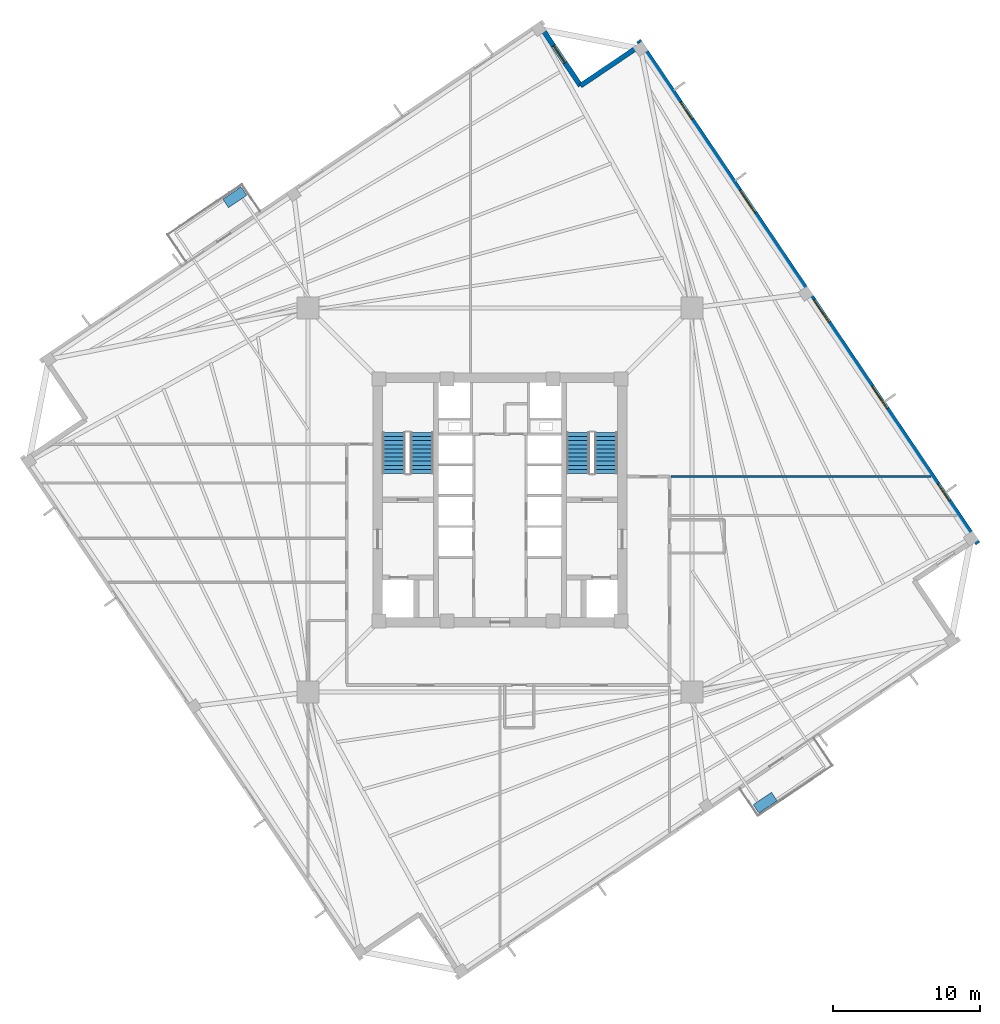
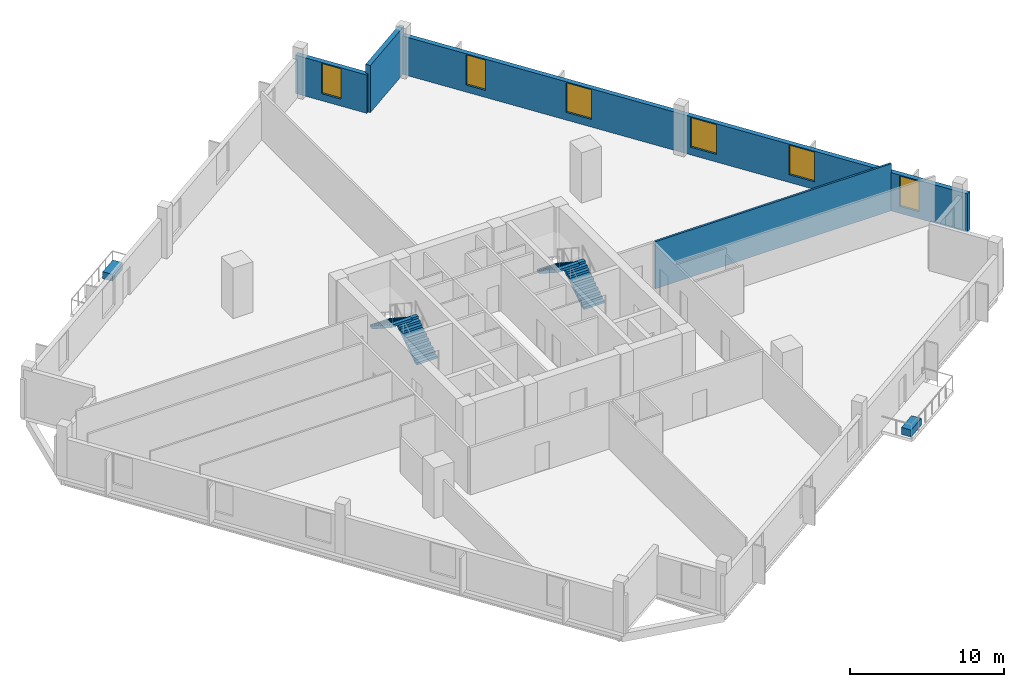
# One storey, part 5 of 8: 6 windows, 4 stair flights, 4 walls, 2 discrete accessories, 6 openings, 2 elements without a shape of their own.
"""IFC4 building model written with IfcOpenShell, lengths in metres."""

from ifc_helpers import new_model, si_unit, direction, frame, frame_2d, origin, origin_2d, place, context, subcontext, project, spatial, polyline, rectangle, outline, extrude, source, transform, mapped, material, layer, layer_set, type_object, element, fill, aggregate, save


model = new_model("IFC4")

# Units and contexts
model_context = context("Model", 3, precision=1e-05, world=origin(), true_north=direction((0.0, 1.0)))
body_context = subcontext(model_context, "Body", "Model", "MODEL_VIEW")
ifc_project = project(units=[si_unit("LENGTHUNIT", "METRE"), si_unit("AREAUNIT", "SQUARE_METRE"), si_unit("VOLUMEUNIT", "CUBIC_METRE"), si_unit("PLANEANGLEUNIT", "RADIAN"), si_unit("MASSUNIT", "GRAM", prefix="KILO"), si_unit("THERMODYNAMICTEMPERATUREUNIT", "KELVIN")], contexts=[model_context])

# Site, building, storey
site_placement = place(None, origin())
site = spatial("IfcSite", under=ifc_project, at=site_placement, CompositionType="ELEMENT")
building_placement = place(site_placement, origin())
building = spatial("IfcBuilding", under=site, at=building_placement, Name="Kosmvard Interchange Tower", CompositionType="ELEMENT")
storey_placement = place(building_placement, frame((0.0, 0.0, 184.39990234375)))
storey = spatial("IfcBuildingStorey", under=building, at=storey_placement, Name="L44", CompositionType="ELEMENT", Elevation=184.39990234375)

# Wall
ifc_material_1 = material(Name="Acoustic gypsum partition system")
ifc_layer_1 = layer(ifc_material_1, 0.14990234375, Name="Acoustic gypsum partition system")
ifc_layer_set_1 = layer_set([ifc_layer_1], Name="Acoustic gypsum partition system")
wall_type_1 = type_object("IfcWallType", Name="Acoustic Suite & Meeting Partition 150", PredefinedType="PARTITIONING", material=ifc_layer_set_1)
wall_1_placement = place(storey_placement, frame((11.64501953125, 1.60009765625, 0.0), z_axis=(0.0, 0.0, 1.0), x_axis=(1.0, 0.0, 0.0)))
element("IfcWall", 1, at=wall_1_placement, inside=storey, type_object=wall_type_1, Name="L44 Room Partition 05.1", PredefinedType="PARTITIONING", context=body_context, shape_type="SweptSolid", body=[
    extrude(rectangle(XDim=17.70263671875, YDim=0.14990234375, at=frame_2d((8.851318359375, 0.0))), origin(), (0.0, 0.0, 1.0), 3.739990234375),
])

# Wall, openings, windows
ifc_material_2 = material(Name="Precast concrete C45/55", Category="concrete")
ifc_layer_2 = layer(ifc_material_2, 0.340087890625, Name="Precast concrete C45/55")
ifc_layer_set_2 = layer_set([ifc_layer_2], Name="Precast concrete C45/55")
wall_type_2 = type_object("IfcWallType", Name="Mid Tower Precast Pier Wall 340 C45/55", PredefinedType="STANDARD", material=ifc_layer_set_2)
wall_2_placement = place(storey_placement, frame((32.55810546875, -2.971923828125, 0.0), z_axis=(0.0, 0.0, 1.0), x_axis=(-0.559194910251, 0.829036218961, 0.0)))
wall_2 = element("IfcWall", 2, at=wall_2_placement, inside=storey, type_object=wall_type_2, Name="L44 Precast Facade Wall F-E", PredefinedType="STANDARD", context=body_context, shape_type="SweptSolid", body=[
    extrude(rectangle(XDim=41.340087890625, YDim=0.340087890625, at=frame_2d((20.669921875, 0.0))), origin(), (0.0, 0.0, 1.0), 3.0400390625),
])
opening_1_placement = place(wall_2_placement, frame((3.5107421875, 0.0, 0.56005859375)))
opening_1 = element("IfcOpeningElement", 3, at=opening_1_placement, cuts=wall_2, Name="Opening L44-W06", PredefinedType="OPENING", context=body_context, shape_type="SweptSolid", body=[
    extrude(rectangle(XDim=1.39990234375, YDim=2.39990234375, at=frame_2d((0.699951171875, 1.199951171875))), frame((0.0, 0.18017578125, 0.0), z_axis=(0.0, -1.0, 0.0), x_axis=(1.0, 0.0, 0.0)), (0.0, 0.0, 1.0), 0.360107421875),
])
opening_2_placement = place(wall_2_placement, frame((11.063720703125, 0.0, 0.610107421875)))
opening_2 = element("IfcOpeningElement", 4, at=opening_2_placement, cuts=wall_2, Name="Opening L44-W07", PredefinedType="OPENING", context=body_context, shape_type="SweptSolid", body=[
    extrude(rectangle(XDim=1.85009765625, YDim=2.35009765625, at=frame_2d((0.925048828125, 1.175048828125))), frame((0.0, 0.18017578125, 0.0), z_axis=(0.0, -1.0, 0.0), x_axis=(1.0, 0.0, 0.0)), (0.0, 0.0, 1.0), 0.360107421875),
])
opening_3_placement = place(wall_2_placement, frame((18.168212890625, 0.0, 0.610107421875)))
opening_3 = element("IfcOpeningElement", 5, at=opening_3_placement, cuts=wall_2, Name="Opening L44-W08", PredefinedType="OPENING", context=body_context, shape_type="SweptSolid", body=[
    extrude(rectangle(XDim=1.85009765625, YDim=2.35009765625, at=frame_2d((0.925048828125, 1.175048828125))), frame((0.0, 0.18017578125, 0.0), z_axis=(0.0, -1.0, 0.0), x_axis=(1.0, 0.0, 0.0)), (0.0, 0.0, 1.0), 0.360107421875),
])
opening_4_placement = place(wall_2_placement, frame((27.186279296875, 0.0, 0.610107421875)))
opening_4 = element("IfcOpeningElement", 6, at=opening_4_placement, cuts=wall_2, Name="Opening L44-W09", PredefinedType="OPENING", context=body_context, shape_type="SweptSolid", body=[
    extrude(rectangle(XDim=1.85009765625, YDim=2.35009765625, at=frame_2d((0.925048828125, 1.175048828125))), frame((0.0, 0.18017578125, 0.0), z_axis=(0.0, -1.0, 0.0), x_axis=(1.0, 0.0, 0.0)), (0.0, 0.0, 1.0), 0.360107421875),
])
opening_5_placement = place(wall_2_placement, frame((34.852294921875, 0.0, 0.56005859375)))
opening_5 = element("IfcOpeningElement", 7, at=opening_5_placement, cuts=wall_2, Name="Opening L44-W10", PredefinedType="OPENING", context=body_context, shape_type="SweptSolid", body=[
    extrude(rectangle(XDim=1.39990234375, YDim=2.39990234375, at=frame_2d((0.699951171875, 1.199951171875))), frame((0.0, 0.18017578125, 0.0), z_axis=(0.0, -1.0, 0.0), x_axis=(1.0, 0.0, 0.0)), (0.0, 0.0, 1.0), 0.360107421875),
])
ifc_material_3 = material(Name="Low-E solar-control double glazing", Category="glass")
window_type_1 = type_object("IfcWindowType", Name="Notched Corner Feature Window 1400x2400", PartitioningType="SINGLE_PANEL", PredefinedType="WINDOW", material=ifc_material_3)
shared_shape_1 = source(origin(), body_context, "Body", "SweptSolid", [
    extrude(rectangle(XDim=1.39990234375, YDim=2.39990234375, at=frame_2d((0.699951171875, 1.199951171875))), frame((0.0, 0.030029296875, 0.0), z_axis=(0.0, -1.0, 0.0), x_axis=(1.0, 0.0, 0.0)), (0.0, 0.0, 1.0), 0.06005859375),
])
window_1_placement = place(opening_1_placement, origin())
window_1 = element("IfcWindow", 8, at=window_1_placement, inside=storey, type_object=window_type_1, Name="L44 Facade Punched Window 06", OverallHeight=2.39990234375, OverallWidth=1.39990234375, PartitioningType="SINGLE_PANEL", PredefinedType="WINDOW", context=body_context, shape_type="MappedRepresentation", body=[
    mapped(shared_shape_1, transform((0.0, 0.0, 0.0), scale=1.0)),
])
fill(opening_1, window_1)
window_2_placement = place(opening_5_placement, origin())
window_2 = element("IfcWindow", 9, at=window_2_placement, inside=storey, type_object=window_type_1, Name="L44 Facade Punched Window 10", OverallHeight=2.39990234375, OverallWidth=1.39990234375, PartitioningType="SINGLE_PANEL", PredefinedType="WINDOW", context=body_context, shape_type="MappedRepresentation", body=[
    mapped(shared_shape_1, transform((0.0, 0.0, 0.0), scale=1.0)),
])
fill(opening_5, window_2)
window_type_2 = type_object("IfcWindowType", Name="Zone 3 Office Punched Window 1850x2350", PartitioningType="SINGLE_PANEL", PredefinedType="WINDOW", material=ifc_material_3)
shared_shape_2 = source(origin(), body_context, "Body", "SweptSolid", [
    extrude(rectangle(XDim=1.85009765625, YDim=2.35009765625, at=frame_2d((0.925048828125, 1.175048828125))), frame((0.0, 0.030029296875, 0.0), z_axis=(0.0, -1.0, 0.0), x_axis=(1.0, 0.0, 0.0)), (0.0, 0.0, 1.0), 0.06005859375),
])
window_3_placement = place(opening_2_placement, origin())
window_3 = element("IfcWindow", 10, at=window_3_placement, inside=storey, type_object=window_type_2, Name="L44 Facade Punched Window 07", OverallHeight=2.35009765625, OverallWidth=1.85009765625, PartitioningType="SINGLE_PANEL", PredefinedType="WINDOW", context=body_context, shape_type="MappedRepresentation", body=[
    mapped(shared_shape_2, transform((0.0, 0.0, 0.0), scale=1.0)),
])
fill(opening_2, window_3)
window_4_placement = place(opening_3_placement, origin())
window_4 = element("IfcWindow", 11, at=window_4_placement, inside=storey, type_object=window_type_2, Name="L44 Facade Punched Window 08", OverallHeight=2.35009765625, OverallWidth=1.85009765625, PartitioningType="SINGLE_PANEL", PredefinedType="WINDOW", context=body_context, shape_type="MappedRepresentation", body=[
    mapped(shared_shape_2, transform((0.0, 0.0, 0.0), scale=1.0)),
])
fill(opening_3, window_4)
window_5_placement = place(opening_4_placement, origin())
window_5 = element("IfcWindow", 12, at=window_5_placement, inside=storey, type_object=window_type_2, Name="L44 Facade Punched Window 09", OverallHeight=2.35009765625, OverallWidth=1.85009765625, PartitioningType="SINGLE_PANEL", PredefinedType="WINDOW", context=body_context, shape_type="MappedRepresentation", body=[
    mapped(shared_shape_2, transform((0.0, 0.0, 0.0), scale=1.0)),
])
fill(opening_4, window_5)

# Wall
wall_3_placement = place(storey_placement, frame((9.631103515625, 31.018798828125, 0.0), z_axis=(0.0, 0.0, 1.0), x_axis=(-0.829025804298, -0.559210350234, 0.0)))
element("IfcWall", 13, at=wall_3_placement, inside=storey, type_object=wall_type_2, Name="L44 Precast Facade Wall N-NE1", PredefinedType="STANDARD", context=body_context, shape_type="SweptSolid", body=[
    extrude(rectangle(XDim=5.000244140625, YDim=0.340087890625, at=frame_2d((2.5, 0.0))), origin(), (0.0, 0.0, 1.0), 3.739990234375),
])

# Wall, opening, window
wall_4_placement = place(storey_placement, frame((5.48583984375, 28.22265625, 0.0), z_axis=(0.0, 0.0, 1.0), x_axis=(-0.559171107879, 0.82905227345, 0.0)))
wall_4 = element("IfcWall", 14, at=wall_4_placement, inside=storey, type_object=wall_type_2, Name="L44 Precast Facade Wall N-NE2", PredefinedType="STANDARD", context=body_context, shape_type="SweptSolid", body=[
    extrude(rectangle(XDim=5.169921875, YDim=0.340087890625, at=frame_2d((2.5849609375, 0.0))), origin(), (0.0, 0.0, 1.0), 3.0400390625),
])
opening_6_placement = place(wall_4_placement, frame((1.885009765625, 0.0, 0.56005859375)))
opening_6 = element("IfcOpeningElement", 15, at=opening_6_placement, cuts=wall_4, Name="Opening L44-W22", PredefinedType="OPENING", context=body_context, shape_type="SweptSolid", body=[
    extrude(rectangle(XDim=1.39990234375, YDim=2.39990234375, at=frame_2d((0.699951171875, 1.199951171875))), frame((0.0, 0.18017578125, 0.0), z_axis=(0.0, -1.0, 0.0), x_axis=(1.0, 0.0, 0.0)), (0.0, 0.0, 1.0), 0.360107421875),
])
window_6_placement = place(opening_6_placement, origin())
window_6 = element("IfcWindow", 16, at=window_6_placement, inside=storey, type_object=window_type_1, Name="L44 Corner Notch Window 22", OverallHeight=2.39990234375, OverallWidth=1.39990234375, PartitioningType="SINGLE_PANEL", PredefinedType="WINDOW", context=body_context, shape_type="MappedRepresentation", body=[
    mapped(shared_shape_1, transform((0.0, 0.0, 0.0), scale=1.0)),
])
fill(opening_6, window_6)

# Stair, stair flights
ifc_material_4 = material(Name="Concrete C50/60", Category="concrete")
stair_type = type_object("IfcStairType", Name="Dog-Leg Core Exit Stair H4000 C50/60", PredefinedType="HALF_TURN_STAIR", material=ifc_material_4)
stair_1_placement = place(storey_placement, origin())
stair_1 = element("IfcStair", 17, at=stair_1_placement, inside=storey, type_object=stair_type, Name="L44 Protected Exit Stair ST-1", PredefinedType="HALF_TURN_STAIR")
stair_flight_type = type_object("IfcStairFlightType", Name="Core Stair Flight W1550 H4000 C50/60", PredefinedType="STRAIGHT", material=ifc_material_4)
shared_shape_3 = source(origin(), body_context, "Body", "SweptSolid", [
    extrude(outline(polyline([(0.0, 0.0), (0.0, 0.181884765625), (0.280029296875, 0.181884765625), (0.280029296875, 0.363525390625), (0.56005859375, 0.363525390625), (0.56005859375, 0.54541015625), (0.840087890625, 0.54541015625), (0.840087890625, 0.727294921875), (1.1201171875, 0.727294921875), (1.1201171875, 0.9091796875), (1.39990234375, 0.9091796875), (1.39990234375, 1.0908203125), (1.679931640625, 1.0908203125), (1.679931640625, 1.272705078125), (1.9599609375, 1.272705078125), (1.9599609375, 1.45458984375), (2.239990234375, 1.45458984375), (2.239990234375, 1.636474609375), (2.52001953125, 1.636474609375), (2.52001953125, 1.818115234375), (2.800048828125, 1.818115234375), (2.800048828125, 2.0), (2.800048828125, 1.62744140625), (0.293701171875, 0.0), (0.0, 0.0)])), frame((0.0, 0.77490234375, 0.0), z_axis=(0.0, -1.0, 0.0), x_axis=(1.0, 0.0, 0.0)), (0.0, 0.0, 1.0), 1.550048828125),
])
stair_flight_1_placement = place(storey_placement, frame((-5.31494140625, 1.800048828125, 0.0), z_axis=(0.0, 0.0, 1.0), x_axis=(0.0, 1.0, 0.0)))
stair_flight_1 = element("IfcStairFlight", 18, at=stair_flight_1_placement, type_object=stair_flight_type, Name="ST-1 flight 1", NumberOfRisers=11, NumberOfTreads=10, PredefinedType="STRAIGHT", RiserHeight=0.181818182, TreadLength=0.28, context=body_context, shape_type="MappedRepresentation", body=[
    mapped(shared_shape_3, transform((0.0, 0.0, 0.0), scale=1.0)),
])
stair_flight_2_placement = place(storey_placement, frame((-7.22509765625, 4.60009765625, 2.0), z_axis=(0.0, 0.0, 1.0), x_axis=(0.0, -1.0, 0.0)))
stair_flight_2 = element("IfcStairFlight", 19, at=stair_flight_2_placement, type_object=stair_flight_type, Name="ST-1 flight 2", NumberOfRisers=11, NumberOfTreads=10, PredefinedType="STRAIGHT", RiserHeight=0.181818182, TreadLength=0.28, context=body_context, shape_type="MappedRepresentation", body=[
    mapped(shared_shape_3, transform((0.0, 0.0, 0.0), scale=1.0)),
])
aggregate(stair_1, [stair_flight_1, stair_flight_2])

stair_2_placement = place(storey_placement, origin())
stair_2 = element("IfcStair", 20, at=stair_2_placement, inside=storey, type_object=stair_type, Name="L44 Protected Exit Stair ST-2", PredefinedType="HALF_TURN_STAIR")
stair_flight_3_placement = place(storey_placement, frame((7.22509765625, 1.800048828125, 0.0), z_axis=(0.0, 0.0, 1.0), x_axis=(0.0, 1.0, 0.0)))
stair_flight_3 = element("IfcStairFlight", 21, at=stair_flight_3_placement, type_object=stair_flight_type, Name="ST-2 flight 1", NumberOfRisers=11, NumberOfTreads=10, PredefinedType="STRAIGHT", RiserHeight=0.181818182, TreadLength=0.28, context=body_context, shape_type="MappedRepresentation", body=[
    mapped(shared_shape_3, transform((0.0, 0.0, 0.0), scale=1.0)),
])
stair_flight_4_placement = place(storey_placement, frame((5.31494140625, 4.60009765625, 2.0), z_axis=(0.0, 0.0, 1.0), x_axis=(0.0, -1.0, 0.0)))
stair_flight_4 = element("IfcStairFlight", 22, at=stair_flight_4_placement, type_object=stair_flight_type, Name="ST-2 flight 2", NumberOfRisers=11, NumberOfTreads=10, PredefinedType="STRAIGHT", RiserHeight=0.181818182, TreadLength=0.28, context=body_context, shape_type="MappedRepresentation", body=[
    mapped(shared_shape_3, transform((0.0, 0.0, 0.0), scale=1.0)),
])
aggregate(stair_2, [stair_flight_3, stair_flight_4])

# Discrete accessories
ifc_material_5 = material(Name="Terracotta precast planter concrete C45/55", Category="masonry")
discrete_accessory_type = type_object("IfcDiscreteAccessoryType", Name="Precast Tree-Balcony & Terrace Planter Box", PredefinedType="USERDEFINED", material=ifc_material_5)
shared_shape_4 = source(origin(), body_context, "Body", "SweptSolid", [
    extrude(rectangle(XDim=1.5, YDim=0.699951171875, at=origin_2d()), origin(), (0.0, 0.0, 1.0), 0.550048828125),
])
for number, where, z_axis, x_axis, name in (
    (23, (18.0703125, -20.62060546875, 0.0), (0.0, 0.0, 1.0), (0.829037572555, 0.559192903471, 0.0), "L44 Balcony Tree Planter BAL-L44-SW"),
    (24, (-18.0703125, 20.62060546875, 0.0), (0.0, 0.0, 1.0), (0.829037572555, 0.559192903471, 0.0), "L44 Balcony Tree Planter BAL-L44-NE"),
):
    element("IfcDiscreteAccessory", number, at=place(storey_placement, frame(where, z_axis=z_axis, x_axis=x_axis)), inside=storey, type_object=discrete_accessory_type, Name=name, ObjectType="PLANTER", PredefinedType="USERDEFINED", context=body_context, shape_type="MappedRepresentation", body=[
        mapped(shared_shape_4, transform((0.0, 0.0, 0.0), scale=1.0)),
    ])

save(model, "model.ifc")
